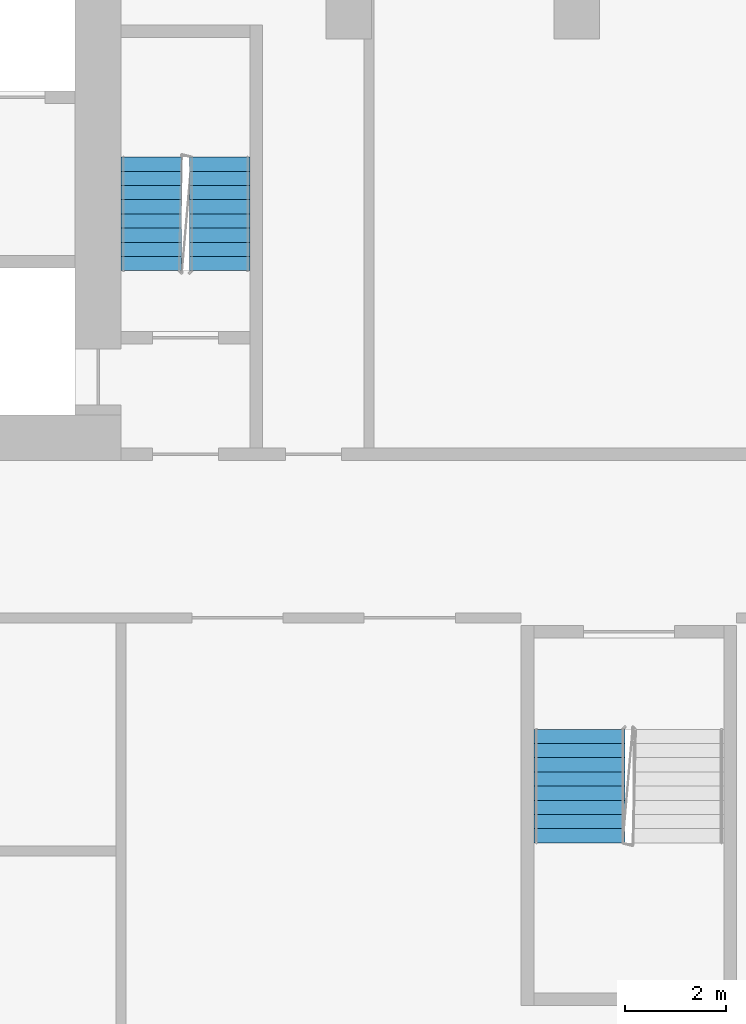
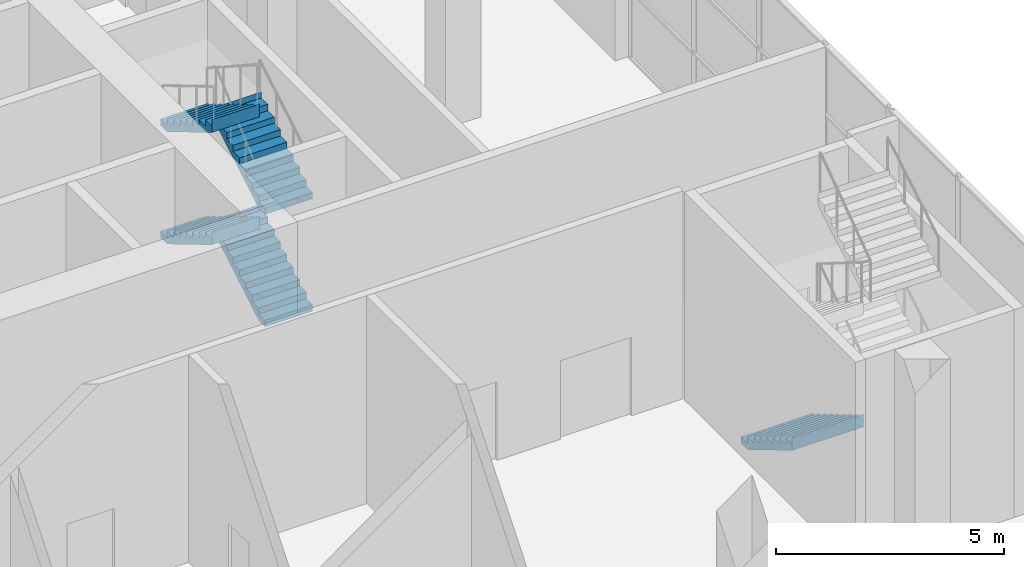
# One storey, part 21 of 27: 5 stair flights, 2 elements without a shape of their own.
"""IFC4 building model written with IfcOpenShell, lengths in metres."""

from ifc_helpers import new_model, si_unit, direction, frame, origin, place, context, subcontext, project, spatial, faceted_brep, material, type_object, element, aggregate, save


model = new_model("IFC4")

# Units and contexts
model_context = context("Model", 3, precision=1e-05, world=origin(), true_north=direction((0.0, 1.0)))
body_context = subcontext(model_context, "Body", "Model", "MODEL_VIEW")
ifc_project = project(units=[si_unit("LENGTHUNIT", "METRE"), si_unit("AREAUNIT", "SQUARE_METRE"), si_unit("VOLUMEUNIT", "CUBIC_METRE"), si_unit("PLANEANGLEUNIT", "RADIAN"), si_unit("MASSUNIT", "GRAM", prefix="KILO")], contexts=[model_context])

# Site, building, storey
site_placement = place(None, origin())
site = spatial("IfcSite", under=ifc_project, at=site_placement, CompositionType="ELEMENT")
building_placement = place(site_placement, origin())
building = spatial("IfcBuilding", under=site, at=building_placement, Name="Kajstack Hotel Tower", CompositionType="ELEMENT")
storey_placement = place(building_placement, frame((0.0, 0.0, 11.0)))
storey = spatial("IfcBuildingStorey", under=building, at=storey_placement, Name="L01", CompositionType="ELEMENT", Elevation=11.0)

# Stair, stair flight
ifc_material = material(Name="Concrete C40/50", Category="concrete")
stair_type_1 = type_object("IfcStairType", Name="Escape stair 1800", PredefinedType="HALF_TURN_STAIR", material=ifc_material)
stair_1_placement = place(storey_placement, origin())
stair_1 = element("IfcStair", 1, at=stair_1_placement, inside=storey, type_object=stair_type_1, Name="L01 stair P2", PredefinedType="HALF_TURN_STAIR")
stair_flight_type_1 = type_object("IfcStairFlightType", Name="Escape stair flight 1800", PredefinedType="STRAIGHT", material=ifc_material)
stair_flight_1_placement = place(storey_placement, frame((40.550048828125, -3.800048828125, 0.0), z_axis=(0.0, 0.0, 1.0), x_axis=(0.0, -1.0, 0.0)))
stair_flight_1 = element("IfcStairFlight", 2, at=stair_flight_1_placement, type_object=stair_flight_type_1, Name="P2 flight 1", NumberOfRisers=9, NumberOfTreads=8, PredefinedType="STRAIGHT", RiserHeight=0.166666667, TreadLength=0.28, context=body_context, shape_type="Brep", body=[
    faceted_brep([(0.29345703125, -0.89990234375, 0.0), (2.240478515625, -0.89990234375, 1.158935546875), (2.240478515625, -0.89990234375, 1.5), (2.239990234375, -0.89990234375, 1.5), (2.239990234375, -0.89990234375, 1.333251953125), (1.9599609375, -0.89990234375, 1.333251953125), (1.9599609375, -0.89990234375, 1.166748046875), (1.679931640625, -0.89990234375, 1.166748046875), (1.679931640625, -0.89990234375, 1.0), (1.39990234375, -0.89990234375, 1.0), (1.39990234375, -0.89990234375, 0.833251953125), (1.1201171875, -0.89990234375, 0.833251953125), (1.1201171875, -0.89990234375, 0.666748046875), (0.840087890625, -0.89990234375, 0.666748046875), (0.840087890625, -0.89990234375, 0.5), (0.56005859375, -0.89990234375, 0.5), (0.56005859375, -0.89990234375, 0.333251953125), (0.280029296875, -0.89990234375, 0.333251953125), (0.280029296875, -0.89990234375, 0.166748046875), (-0.00048828125, -0.89990234375, 0.166748046875), (-0.00048828125, -0.89990234375, 0.0), (-0.00048828125, 0.89990234375, 0.0), (-0.00048828125, 0.89990234375, 0.166748046875), (0.280029296875, 0.89990234375, 0.166748046875), (0.280029296875, 0.89990234375, 0.333251953125), (0.56005859375, 0.89990234375, 0.333251953125), (0.56005859375, 0.89990234375, 0.5), (0.840087890625, 0.89990234375, 0.5), (0.840087890625, 0.89990234375, 0.666748046875), (1.1201171875, 0.89990234375, 0.666748046875), (1.1201171875, 0.89990234375, 0.833251953125), (1.39990234375, 0.89990234375, 0.833251953125), (1.39990234375, 0.89990234375, 1.0), (1.679931640625, 0.89990234375, 1.0), (1.679931640625, 0.89990234375, 1.166748046875), (1.9599609375, 0.89990234375, 1.166748046875), (1.9599609375, 0.89990234375, 1.333251953125), (2.239990234375, 0.89990234375, 1.333251953125), (2.239990234375, 0.89990234375, 1.5), (2.240478515625, 0.89990234375, 1.5), (2.240478515625, 0.89990234375, 1.158935546875), (0.29345703125, 0.89990234375, 0.0), (-0.00048828125, -0.449951171875, 0.166748046875), (-0.00048828125, 0.0, 0.166748046875), (-0.00048828125, 0.449951171875, 0.166748046875), (-0.00048828125, 0.449951171875, 0.0), (-0.00048828125, 0.0, 0.0), (-0.00048828125, -0.449951171875, 0.0), (0.280029296875, -0.449951171875, 0.166748046875), (0.280029296875, 0.0, 0.166748046875), (0.280029296875, 0.449951171875, 0.166748046875), (0.280029296875, -0.449951171875, 0.333251953125), (0.280029296875, 0.0, 0.333251953125), (0.280029296875, 0.449951171875, 0.333251953125), (0.56005859375, -0.449951171875, 0.333251953125), (0.56005859375, 0.0, 0.333251953125), (0.56005859375, 0.449951171875, 0.333251953125), (0.56005859375, -0.449951171875, 0.5), (0.56005859375, 0.0, 0.5), (0.56005859375, 0.449951171875, 0.5), (0.840087890625, -0.449951171875, 0.5), (0.840087890625, 0.0, 0.5), (0.840087890625, 0.449951171875, 0.5), (0.840087890625, -0.449951171875, 0.666748046875), (0.840087890625, 0.0, 0.666748046875), (0.840087890625, 0.449951171875, 0.666748046875), (1.1201171875, -0.449951171875, 0.666748046875), (1.1201171875, 0.0, 0.666748046875), (1.1201171875, 0.449951171875, 0.666748046875), (1.1201171875, -0.449951171875, 0.833251953125), (1.1201171875, 0.0, 0.833251953125), (1.1201171875, 0.449951171875, 0.833251953125), (1.39990234375, -0.449951171875, 0.833251953125), (1.39990234375, 0.0, 0.833251953125), (1.39990234375, 0.449951171875, 0.833251953125), (1.39990234375, -0.449951171875, 1.0), (1.39990234375, 0.0, 1.0), (1.39990234375, 0.449951171875, 1.0), (1.679931640625, -0.449951171875, 1.0), (1.679931640625, 0.0, 1.0), (1.679931640625, 0.449951171875, 1.0), (1.679931640625, -0.449951171875, 1.166748046875), (1.679931640625, 0.0, 1.166748046875), (1.679931640625, 0.449951171875, 1.166748046875), (1.9599609375, -0.449951171875, 1.166748046875), (1.9599609375, 0.0, 1.166748046875), (1.9599609375, 0.449951171875, 1.166748046875), (1.9599609375, -0.449951171875, 1.333251953125), (1.9599609375, 0.0, 1.333251953125), (1.9599609375, 0.449951171875, 1.333251953125), (2.239990234375, -0.449951171875, 1.333251953125), (2.239990234375, 0.0, 1.333251953125), (2.239990234375, 0.449951171875, 1.333251953125), (2.239990234375, -0.449951171875, 1.5), (2.239990234375, 0.0, 1.5), (2.239990234375, 0.449951171875, 1.5), (2.240478515625, -0.449951171875, 1.5), (2.240478515625, 0.0, 1.5), (2.240478515625, 0.449951171875, 1.5), (2.240478515625, -0.449951171875, 1.158935546875), (2.240478515625, 0.0, 1.158935546875), (2.240478515625, 0.449951171875, 1.158935546875), (0.29345703125, -0.449951171875, 0.0), (0.29345703125, 0.0, 0.0), (0.29345703125, 0.449951171875, 0.0)], [[[0, 1, 2, 3, 4, 5, 6, 7, 8, 9, 10, 11, 12, 13, 14, 15, 16, 17, 18, 19, 20]], [[21, 22, 23, 24, 25, 26, 27, 28, 29, 30, 31, 32, 33, 34, 35, 36, 37, 38, 39, 40, 41]], [[19, 42, 43, 44, 22, 21, 45, 46, 47, 20]], [[18, 48, 49, 50, 23, 22, 44, 43, 42, 19]], [[17, 51, 52, 53, 24, 23, 50, 49, 48, 18]], [[16, 54, 55, 56, 25, 24, 53, 52, 51, 17]], [[15, 57, 58, 59, 26, 25, 56, 55, 54, 16]], [[14, 60, 61, 62, 27, 26, 59, 58, 57, 15]], [[13, 63, 64, 65, 28, 27, 62, 61, 60, 14]], [[12, 66, 67, 68, 29, 28, 65, 64, 63, 13]], [[11, 69, 70, 71, 30, 29, 68, 67, 66, 12]], [[10, 72, 73, 74, 31, 30, 71, 70, 69, 11]], [[9, 75, 76, 77, 32, 31, 74, 73, 72, 10]], [[8, 78, 79, 80, 33, 32, 77, 76, 75, 9]], [[7, 81, 82, 83, 34, 33, 80, 79, 78, 8]], [[6, 84, 85, 86, 35, 34, 83, 82, 81, 7]], [[5, 87, 88, 89, 36, 35, 86, 85, 84, 6]], [[4, 90, 91, 92, 37, 36, 89, 88, 87, 5]], [[3, 93, 94, 95, 38, 37, 92, 91, 90, 4]], [[2, 96, 97, 98, 39, 38, 95, 94, 93, 3]], [[1, 99, 100, 101, 40, 39, 98, 97, 96, 2]], [[0, 102, 103, 104, 41, 40, 101, 100, 99, 1]], [[20, 47, 46, 45, 21, 41, 104, 103, 102, 0]]]),
])
aggregate(stair_1, [stair_flight_1])

# Stair, stair flights
stair_type_2 = type_object("IfcStairType", Name="Exit stair 1200", PredefinedType="HALF_TURN_STAIR", material=ifc_material)
stair_2_placement = place(storey_placement, origin())
stair_2 = element("IfcStair", 3, at=stair_2_placement, inside=storey, type_object=stair_type_2, Name="L01 stair E1", PredefinedType="HALF_TURN_STAIR")
stair_flight_type_2 = type_object("IfcStairFlightType", Name="Exit stair flight 1200", PredefinedType="STRAIGHT", material=ifc_material)
stair_flight_2_placement = place(storey_placement, frame((33.449951171875, 5.25, 0.0), z_axis=(0.0, 0.0, 1.0), x_axis=(0.0, 1.0, 0.0)))
stair_flight_2 = element("IfcStairFlight", 4, at=stair_flight_2_placement, type_object=stair_flight_type_2, Name="E1 flight 1", NumberOfRisers=9, NumberOfTreads=8, PredefinedType="STRAIGHT", RiserHeight=0.166666667, TreadLength=0.28, context=body_context, shape_type="Brep", body=[
    faceted_brep([(0.29345703125, -0.60009765625, 0.0), (2.240478515625, -0.60009765625, 1.158935546875), (2.240478515625, -0.60009765625, 1.5), (2.239990234375, -0.60009765625, 1.5), (2.239990234375, -0.60009765625, 1.333251953125), (1.9599609375, -0.60009765625, 1.333251953125), (1.9599609375, -0.60009765625, 1.166748046875), (1.679931640625, -0.60009765625, 1.166748046875), (1.679931640625, -0.60009765625, 1.0), (1.39990234375, -0.60009765625, 1.0), (1.39990234375, -0.60009765625, 0.833251953125), (1.1201171875, -0.60009765625, 0.833251953125), (1.1201171875, -0.60009765625, 0.666748046875), (0.840087890625, -0.60009765625, 0.666748046875), (0.840087890625, -0.60009765625, 0.5), (0.56005859375, -0.60009765625, 0.5), (0.56005859375, -0.60009765625, 0.333251953125), (0.280029296875, -0.60009765625, 0.333251953125), (0.280029296875, -0.60009765625, 0.166748046875), (-0.00048828125, -0.60009765625, 0.166748046875), (-0.00048828125, -0.60009765625, 0.0), (-0.00048828125, 0.60009765625, 0.0), (-0.00048828125, 0.60009765625, 0.166748046875), (0.280029296875, 0.60009765625, 0.166748046875), (0.280029296875, 0.60009765625, 0.333251953125), (0.56005859375, 0.60009765625, 0.333251953125), (0.56005859375, 0.60009765625, 0.5), (0.840087890625, 0.60009765625, 0.5), (0.840087890625, 0.60009765625, 0.666748046875), (1.1201171875, 0.60009765625, 0.666748046875), (1.1201171875, 0.60009765625, 0.833251953125), (1.39990234375, 0.60009765625, 0.833251953125), (1.39990234375, 0.60009765625, 1.0), (1.679931640625, 0.60009765625, 1.0), (1.679931640625, 0.60009765625, 1.166748046875), (1.9599609375, 0.60009765625, 1.166748046875), (1.9599609375, 0.60009765625, 1.333251953125), (2.239990234375, 0.60009765625, 1.333251953125), (2.239990234375, 0.60009765625, 1.5), (2.240478515625, 0.60009765625, 1.5), (2.240478515625, 0.60009765625, 1.158935546875), (0.29345703125, 0.60009765625, 0.0), (-0.00048828125, -0.300048828125, 0.166748046875), (-0.00048828125, 0.0, 0.166748046875), (-0.00048828125, 0.300048828125, 0.166748046875), (-0.00048828125, 0.300048828125, 0.0), (-0.00048828125, 0.0, 0.0), (-0.00048828125, -0.300048828125, 0.0), (0.280029296875, -0.300048828125, 0.166748046875), (0.280029296875, 0.0, 0.166748046875), (0.280029296875, 0.300048828125, 0.166748046875), (0.280029296875, -0.300048828125, 0.333251953125), (0.280029296875, 0.0, 0.333251953125), (0.280029296875, 0.300048828125, 0.333251953125), (0.56005859375, -0.300048828125, 0.333251953125), (0.56005859375, 0.0, 0.333251953125), (0.56005859375, 0.300048828125, 0.333251953125), (0.56005859375, -0.300048828125, 0.5), (0.56005859375, 0.0, 0.5), (0.56005859375, 0.300048828125, 0.5), (0.840087890625, -0.300048828125, 0.5), (0.840087890625, 0.0, 0.5), (0.840087890625, 0.300048828125, 0.5), (0.840087890625, -0.300048828125, 0.666748046875), (0.840087890625, 0.0, 0.666748046875), (0.840087890625, 0.300048828125, 0.666748046875), (1.1201171875, -0.300048828125, 0.666748046875), (1.1201171875, 0.0, 0.666748046875), (1.1201171875, 0.300048828125, 0.666748046875), (1.1201171875, -0.300048828125, 0.833251953125), (1.1201171875, 0.0, 0.833251953125), (1.1201171875, 0.300048828125, 0.833251953125), (1.39990234375, -0.300048828125, 0.833251953125), (1.39990234375, 0.0, 0.833251953125), (1.39990234375, 0.300048828125, 0.833251953125), (1.39990234375, -0.300048828125, 1.0), (1.39990234375, 0.0, 1.0), (1.39990234375, 0.300048828125, 1.0), (1.679931640625, -0.300048828125, 1.0), (1.679931640625, 0.0, 1.0), (1.679931640625, 0.300048828125, 1.0), (1.679931640625, -0.300048828125, 1.166748046875), (1.679931640625, 0.0, 1.166748046875), (1.679931640625, 0.300048828125, 1.166748046875), (1.9599609375, -0.300048828125, 1.166748046875), (1.9599609375, 0.0, 1.166748046875), (1.9599609375, 0.300048828125, 1.166748046875), (1.9599609375, -0.300048828125, 1.333251953125), (1.9599609375, 0.0, 1.333251953125), (1.9599609375, 0.300048828125, 1.333251953125), (2.239990234375, -0.300048828125, 1.333251953125), (2.239990234375, 0.0, 1.333251953125), (2.239990234375, 0.300048828125, 1.333251953125), (2.239990234375, -0.300048828125, 1.5), (2.239990234375, 0.0, 1.5), (2.239990234375, 0.300048828125, 1.5), (2.240478515625, -0.300048828125, 1.5), (2.240478515625, 0.0, 1.5), (2.240478515625, 0.300048828125, 1.5), (2.240478515625, -0.300048828125, 1.158935546875), (2.240478515625, 0.0, 1.158935546875), (2.240478515625, 0.300048828125, 1.158935546875), (0.29345703125, -0.300048828125, 0.0), (0.29345703125, 0.0, 0.0), (0.29345703125, 0.300048828125, 0.0)], [[[0, 1, 2, 3, 4, 5, 6, 7, 8, 9, 10, 11, 12, 13, 14, 15, 16, 17, 18, 19, 20]], [[21, 22, 23, 24, 25, 26, 27, 28, 29, 30, 31, 32, 33, 34, 35, 36, 37, 38, 39, 40, 41]], [[19, 42, 43, 44, 22, 21, 45, 46, 47, 20]], [[18, 48, 49, 50, 23, 22, 44, 43, 42, 19]], [[17, 51, 52, 53, 24, 23, 50, 49, 48, 18]], [[16, 54, 55, 56, 25, 24, 53, 52, 51, 17]], [[15, 57, 58, 59, 26, 25, 56, 55, 54, 16]], [[14, 60, 61, 62, 27, 26, 59, 58, 57, 15]], [[13, 63, 64, 65, 28, 27, 62, 61, 60, 14]], [[12, 66, 67, 68, 29, 28, 65, 64, 63, 13]], [[11, 69, 70, 71, 30, 29, 68, 67, 66, 12]], [[10, 72, 73, 74, 31, 30, 71, 70, 69, 11]], [[9, 75, 76, 77, 32, 31, 74, 73, 72, 10]], [[8, 78, 79, 80, 33, 32, 77, 76, 75, 9]], [[7, 81, 82, 83, 34, 33, 80, 79, 78, 8]], [[6, 84, 85, 86, 35, 34, 83, 82, 81, 7]], [[5, 87, 88, 89, 36, 35, 86, 85, 84, 6]], [[4, 90, 91, 92, 37, 36, 89, 88, 87, 5]], [[3, 93, 94, 95, 38, 37, 92, 91, 90, 4]], [[2, 96, 97, 98, 39, 38, 95, 94, 93, 3]], [[1, 99, 100, 101, 40, 39, 98, 97, 96, 2]], [[0, 102, 103, 104, 41, 40, 101, 100, 99, 1]], [[20, 47, 46, 45, 21, 41, 104, 103, 102, 0]]]),
])
stair_flight_3_placement = place(storey_placement, frame((32.10009765625, 7.489990234375, 1.5), z_axis=(0.0, 0.0, 1.0), x_axis=(0.0, -1.0, 0.0)))
stair_flight_3 = element("IfcStairFlight", 5, at=stair_flight_3_placement, type_object=stair_flight_type_2, Name="E1 flight 2", NumberOfRisers=9, NumberOfTreads=8, PredefinedType="STRAIGHT", RiserHeight=0.166666667, TreadLength=0.28, context=body_context, shape_type="Brep", body=[
    faceted_brep([(0.29345703125, -0.60009765625, 0.0), (2.240478515625, -0.60009765625, 1.158935546875), (2.240478515625, -0.60009765625, 1.5), (2.239990234375, -0.60009765625, 1.5), (2.239990234375, -0.60009765625, 1.333251953125), (1.9599609375, -0.60009765625, 1.333251953125), (1.9599609375, -0.60009765625, 1.166748046875), (1.679931640625, -0.60009765625, 1.166748046875), (1.679931640625, -0.60009765625, 1.0), (1.39990234375, -0.60009765625, 1.0), (1.39990234375, -0.60009765625, 0.833251953125), (1.1201171875, -0.60009765625, 0.833251953125), (1.1201171875, -0.60009765625, 0.666748046875), (0.840087890625, -0.60009765625, 0.666748046875), (0.840087890625, -0.60009765625, 0.5), (0.56005859375, -0.60009765625, 0.5), (0.56005859375, -0.60009765625, 0.333251953125), (0.280029296875, -0.60009765625, 0.333251953125), (0.280029296875, -0.60009765625, 0.166748046875), (-0.00048828125, -0.60009765625, 0.166748046875), (-0.00048828125, -0.60009765625, 0.0), (-0.00048828125, 0.60009765625, 0.0), (-0.00048828125, 0.60009765625, 0.166748046875), (0.280029296875, 0.60009765625, 0.166748046875), (0.280029296875, 0.60009765625, 0.333251953125), (0.56005859375, 0.60009765625, 0.333251953125), (0.56005859375, 0.60009765625, 0.5), (0.840087890625, 0.60009765625, 0.5), (0.840087890625, 0.60009765625, 0.666748046875), (1.1201171875, 0.60009765625, 0.666748046875), (1.1201171875, 0.60009765625, 0.833251953125), (1.39990234375, 0.60009765625, 0.833251953125), (1.39990234375, 0.60009765625, 1.0), (1.679931640625, 0.60009765625, 1.0), (1.679931640625, 0.60009765625, 1.166748046875), (1.9599609375, 0.60009765625, 1.166748046875), (1.9599609375, 0.60009765625, 1.333251953125), (2.239990234375, 0.60009765625, 1.333251953125), (2.239990234375, 0.60009765625, 1.5), (2.240478515625, 0.60009765625, 1.5), (2.240478515625, 0.60009765625, 1.158935546875), (0.29345703125, 0.60009765625, 0.0), (-0.00048828125, -0.300048828125, 0.166748046875), (-0.00048828125, 0.0, 0.166748046875), (-0.00048828125, 0.300048828125, 0.166748046875), (-0.00048828125, 0.300048828125, 0.0), (-0.00048828125, 0.0, 0.0), (-0.00048828125, -0.300048828125, 0.0), (0.280029296875, -0.300048828125, 0.166748046875), (0.280029296875, 0.0, 0.166748046875), (0.280029296875, 0.300048828125, 0.166748046875), (0.280029296875, -0.300048828125, 0.333251953125), (0.280029296875, 0.0, 0.333251953125), (0.280029296875, 0.300048828125, 0.333251953125), (0.56005859375, -0.300048828125, 0.333251953125), (0.56005859375, 0.0, 0.333251953125), (0.56005859375, 0.300048828125, 0.333251953125), (0.56005859375, -0.300048828125, 0.5), (0.56005859375, 0.0, 0.5), (0.56005859375, 0.300048828125, 0.5), (0.840087890625, -0.300048828125, 0.5), (0.840087890625, 0.0, 0.5), (0.840087890625, 0.300048828125, 0.5), (0.840087890625, -0.300048828125, 0.666748046875), (0.840087890625, 0.0, 0.666748046875), (0.840087890625, 0.300048828125, 0.666748046875), (1.1201171875, -0.300048828125, 0.666748046875), (1.1201171875, 0.0, 0.666748046875), (1.1201171875, 0.300048828125, 0.666748046875), (1.1201171875, -0.300048828125, 0.833251953125), (1.1201171875, 0.0, 0.833251953125), (1.1201171875, 0.300048828125, 0.833251953125), (1.39990234375, -0.300048828125, 0.833251953125), (1.39990234375, 0.0, 0.833251953125), (1.39990234375, 0.300048828125, 0.833251953125), (1.39990234375, -0.300048828125, 1.0), (1.39990234375, 0.0, 1.0), (1.39990234375, 0.300048828125, 1.0), (1.679931640625, -0.300048828125, 1.0), (1.679931640625, 0.0, 1.0), (1.679931640625, 0.300048828125, 1.0), (1.679931640625, -0.300048828125, 1.166748046875), (1.679931640625, 0.0, 1.166748046875), (1.679931640625, 0.300048828125, 1.166748046875), (1.9599609375, -0.300048828125, 1.166748046875), (1.9599609375, 0.0, 1.166748046875), (1.9599609375, 0.300048828125, 1.166748046875), (1.9599609375, -0.300048828125, 1.333251953125), (1.9599609375, 0.0, 1.333251953125), (1.9599609375, 0.300048828125, 1.333251953125), (2.239990234375, -0.300048828125, 1.333251953125), (2.239990234375, 0.0, 1.333251953125), (2.239990234375, 0.300048828125, 1.333251953125), (2.239990234375, -0.300048828125, 1.5), (2.239990234375, 0.0, 1.5), (2.239990234375, 0.300048828125, 1.5), (2.240478515625, -0.300048828125, 1.5), (2.240478515625, 0.0, 1.5), (2.240478515625, 0.300048828125, 1.5), (2.240478515625, -0.300048828125, 1.158935546875), (2.240478515625, 0.0, 1.158935546875), (2.240478515625, 0.300048828125, 1.158935546875), (0.29345703125, -0.300048828125, 0.0), (0.29345703125, 0.0, 0.0), (0.29345703125, 0.300048828125, 0.0)], [[[0, 1, 2, 3, 4, 5, 6, 7, 8, 9, 10, 11, 12, 13, 14, 15, 16, 17, 18, 19, 20]], [[21, 22, 23, 24, 25, 26, 27, 28, 29, 30, 31, 32, 33, 34, 35, 36, 37, 38, 39, 40, 41]], [[19, 42, 43, 44, 22, 21, 45, 46, 47, 20]], [[18, 48, 49, 50, 23, 22, 44, 43, 42, 19]], [[17, 51, 52, 53, 24, 23, 50, 49, 48, 18]], [[16, 54, 55, 56, 25, 24, 53, 52, 51, 17]], [[15, 57, 58, 59, 26, 25, 56, 55, 54, 16]], [[14, 60, 61, 62, 27, 26, 59, 58, 57, 15]], [[13, 63, 64, 65, 28, 27, 62, 61, 60, 14]], [[12, 66, 67, 68, 29, 28, 65, 64, 63, 13]], [[11, 69, 70, 71, 30, 29, 68, 67, 66, 12]], [[10, 72, 73, 74, 31, 30, 71, 70, 69, 11]], [[9, 75, 76, 77, 32, 31, 74, 73, 72, 10]], [[8, 78, 79, 80, 33, 32, 77, 76, 75, 9]], [[7, 81, 82, 83, 34, 33, 80, 79, 78, 8]], [[6, 84, 85, 86, 35, 34, 83, 82, 81, 7]], [[5, 87, 88, 89, 36, 35, 86, 85, 84, 6]], [[4, 90, 91, 92, 37, 36, 89, 88, 87, 5]], [[3, 93, 94, 95, 38, 37, 92, 91, 90, 4]], [[2, 96, 97, 98, 39, 38, 95, 94, 93, 3]], [[1, 99, 100, 101, 40, 39, 98, 97, 96, 2]], [[0, 102, 103, 104, 41, 40, 101, 100, 99, 1]], [[20, 47, 46, 45, 21, 41, 104, 103, 102, 0]]]),
])
stair_flight_4_placement = place(storey_placement, frame((33.449951171875, 5.25, 3.0), z_axis=(0.0, 0.0, 1.0), x_axis=(0.0, 1.0, 0.0)))
stair_flight_4 = element("IfcStairFlight", 6, at=stair_flight_4_placement, type_object=stair_flight_type_2, Name="E1 flight 3", NumberOfRisers=9, NumberOfTreads=8, PredefinedType="STRAIGHT", RiserHeight=0.166666667, TreadLength=0.28, context=body_context, shape_type="Brep", body=[
    faceted_brep([(0.29345703125, -0.60009765625, 0.0), (2.240478515625, -0.60009765625, 1.158935546875), (2.240478515625, -0.60009765625, 1.5), (2.239990234375, -0.60009765625, 1.5), (2.239990234375, -0.60009765625, 1.333251953125), (1.9599609375, -0.60009765625, 1.333251953125), (1.9599609375, -0.60009765625, 1.166748046875), (1.679931640625, -0.60009765625, 1.166748046875), (1.679931640625, -0.60009765625, 1.0), (1.39990234375, -0.60009765625, 1.0), (1.39990234375, -0.60009765625, 0.833251953125), (1.1201171875, -0.60009765625, 0.833251953125), (1.1201171875, -0.60009765625, 0.666748046875), (0.840087890625, -0.60009765625, 0.666748046875), (0.840087890625, -0.60009765625, 0.5), (0.56005859375, -0.60009765625, 0.5), (0.56005859375, -0.60009765625, 0.333251953125), (0.280029296875, -0.60009765625, 0.333251953125), (0.280029296875, -0.60009765625, 0.166748046875), (-0.00048828125, -0.60009765625, 0.166748046875), (-0.00048828125, -0.60009765625, 0.0), (-0.00048828125, 0.60009765625, 0.0), (-0.00048828125, 0.60009765625, 0.166748046875), (0.280029296875, 0.60009765625, 0.166748046875), (0.280029296875, 0.60009765625, 0.333251953125), (0.56005859375, 0.60009765625, 0.333251953125), (0.56005859375, 0.60009765625, 0.5), (0.840087890625, 0.60009765625, 0.5), (0.840087890625, 0.60009765625, 0.666748046875), (1.1201171875, 0.60009765625, 0.666748046875), (1.1201171875, 0.60009765625, 0.833251953125), (1.39990234375, 0.60009765625, 0.833251953125), (1.39990234375, 0.60009765625, 1.0), (1.679931640625, 0.60009765625, 1.0), (1.679931640625, 0.60009765625, 1.166748046875), (1.9599609375, 0.60009765625, 1.166748046875), (1.9599609375, 0.60009765625, 1.333251953125), (2.239990234375, 0.60009765625, 1.333251953125), (2.239990234375, 0.60009765625, 1.5), (2.240478515625, 0.60009765625, 1.5), (2.240478515625, 0.60009765625, 1.158935546875), (0.29345703125, 0.60009765625, 0.0), (-0.00048828125, -0.300048828125, 0.166748046875), (-0.00048828125, 0.0, 0.166748046875), (-0.00048828125, 0.300048828125, 0.166748046875), (-0.00048828125, 0.300048828125, 0.0), (-0.00048828125, 0.0, 0.0), (-0.00048828125, -0.300048828125, 0.0), (0.280029296875, -0.300048828125, 0.166748046875), (0.280029296875, 0.0, 0.166748046875), (0.280029296875, 0.300048828125, 0.166748046875), (0.280029296875, -0.300048828125, 0.333251953125), (0.280029296875, 0.0, 0.333251953125), (0.280029296875, 0.300048828125, 0.333251953125), (0.56005859375, -0.300048828125, 0.333251953125), (0.56005859375, 0.0, 0.333251953125), (0.56005859375, 0.300048828125, 0.333251953125), (0.56005859375, -0.300048828125, 0.5), (0.56005859375, 0.0, 0.5), (0.56005859375, 0.300048828125, 0.5), (0.840087890625, -0.300048828125, 0.5), (0.840087890625, 0.0, 0.5), (0.840087890625, 0.300048828125, 0.5), (0.840087890625, -0.300048828125, 0.666748046875), (0.840087890625, 0.0, 0.666748046875), (0.840087890625, 0.300048828125, 0.666748046875), (1.1201171875, -0.300048828125, 0.666748046875), (1.1201171875, 0.0, 0.666748046875), (1.1201171875, 0.300048828125, 0.666748046875), (1.1201171875, -0.300048828125, 0.833251953125), (1.1201171875, 0.0, 0.833251953125), (1.1201171875, 0.300048828125, 0.833251953125), (1.39990234375, -0.300048828125, 0.833251953125), (1.39990234375, 0.0, 0.833251953125), (1.39990234375, 0.300048828125, 0.833251953125), (1.39990234375, -0.300048828125, 1.0), (1.39990234375, 0.0, 1.0), (1.39990234375, 0.300048828125, 1.0), (1.679931640625, -0.300048828125, 1.0), (1.679931640625, 0.0, 1.0), (1.679931640625, 0.300048828125, 1.0), (1.679931640625, -0.300048828125, 1.166748046875), (1.679931640625, 0.0, 1.166748046875), (1.679931640625, 0.300048828125, 1.166748046875), (1.9599609375, -0.300048828125, 1.166748046875), (1.9599609375, 0.0, 1.166748046875), (1.9599609375, 0.300048828125, 1.166748046875), (1.9599609375, -0.300048828125, 1.333251953125), (1.9599609375, 0.0, 1.333251953125), (1.9599609375, 0.300048828125, 1.333251953125), (2.239990234375, -0.300048828125, 1.333251953125), (2.239990234375, 0.0, 1.333251953125), (2.239990234375, 0.300048828125, 1.333251953125), (2.239990234375, -0.300048828125, 1.5), (2.239990234375, 0.0, 1.5), (2.239990234375, 0.300048828125, 1.5), (2.240478515625, -0.300048828125, 1.5), (2.240478515625, 0.0, 1.5), (2.240478515625, 0.300048828125, 1.5), (2.240478515625, -0.300048828125, 1.158935546875), (2.240478515625, 0.0, 1.158935546875), (2.240478515625, 0.300048828125, 1.158935546875), (0.29345703125, -0.300048828125, 0.0), (0.29345703125, 0.0, 0.0), (0.29345703125, 0.300048828125, 0.0)], [[[0, 1, 2, 3, 4, 5, 6, 7, 8, 9, 10, 11, 12, 13, 14, 15, 16, 17, 18, 19, 20]], [[21, 22, 23, 24, 25, 26, 27, 28, 29, 30, 31, 32, 33, 34, 35, 36, 37, 38, 39, 40, 41]], [[19, 42, 43, 44, 22, 21, 45, 46, 47, 20]], [[18, 48, 49, 50, 23, 22, 44, 43, 42, 19]], [[17, 51, 52, 53, 24, 23, 50, 49, 48, 18]], [[16, 54, 55, 56, 25, 24, 53, 52, 51, 17]], [[15, 57, 58, 59, 26, 25, 56, 55, 54, 16]], [[14, 60, 61, 62, 27, 26, 59, 58, 57, 15]], [[13, 63, 64, 65, 28, 27, 62, 61, 60, 14]], [[12, 66, 67, 68, 29, 28, 65, 64, 63, 13]], [[11, 69, 70, 71, 30, 29, 68, 67, 66, 12]], [[10, 72, 73, 74, 31, 30, 71, 70, 69, 11]], [[9, 75, 76, 77, 32, 31, 74, 73, 72, 10]], [[8, 78, 79, 80, 33, 32, 77, 76, 75, 9]], [[7, 81, 82, 83, 34, 33, 80, 79, 78, 8]], [[6, 84, 85, 86, 35, 34, 83, 82, 81, 7]], [[5, 87, 88, 89, 36, 35, 86, 85, 84, 6]], [[4, 90, 91, 92, 37, 36, 89, 88, 87, 5]], [[3, 93, 94, 95, 38, 37, 92, 91, 90, 4]], [[2, 96, 97, 98, 39, 38, 95, 94, 93, 3]], [[1, 99, 100, 101, 40, 39, 98, 97, 96, 2]], [[0, 102, 103, 104, 41, 40, 101, 100, 99, 1]], [[20, 47, 46, 45, 21, 41, 104, 103, 102, 0]]]),
])
stair_flight_5_placement = place(storey_placement, frame((32.10009765625, 7.489990234375, 4.5), z_axis=(0.0, 0.0, 1.0), x_axis=(0.0, -1.0, 0.0)))
stair_flight_5 = element("IfcStairFlight", 7, at=stair_flight_5_placement, type_object=stair_flight_type_2, Name="E1 flight 4", NumberOfRisers=9, NumberOfTreads=8, PredefinedType="STRAIGHT", RiserHeight=0.166666667, TreadLength=0.28, context=body_context, shape_type="Brep", body=[
    faceted_brep([(0.29345703125, -0.60009765625, 0.0), (2.240478515625, -0.60009765625, 1.158935546875), (2.240478515625, -0.60009765625, 1.5), (2.239990234375, -0.60009765625, 1.5), (2.239990234375, -0.60009765625, 1.333251953125), (1.9599609375, -0.60009765625, 1.333251953125), (1.9599609375, -0.60009765625, 1.166748046875), (1.679931640625, -0.60009765625, 1.166748046875), (1.679931640625, -0.60009765625, 1.0), (1.39990234375, -0.60009765625, 1.0), (1.39990234375, -0.60009765625, 0.833251953125), (1.1201171875, -0.60009765625, 0.833251953125), (1.1201171875, -0.60009765625, 0.666748046875), (0.840087890625, -0.60009765625, 0.666748046875), (0.840087890625, -0.60009765625, 0.5), (0.56005859375, -0.60009765625, 0.5), (0.56005859375, -0.60009765625, 0.333251953125), (0.280029296875, -0.60009765625, 0.333251953125), (0.280029296875, -0.60009765625, 0.166748046875), (-0.00048828125, -0.60009765625, 0.166748046875), (-0.00048828125, -0.60009765625, 0.0), (-0.00048828125, 0.60009765625, 0.0), (-0.00048828125, 0.60009765625, 0.166748046875), (0.280029296875, 0.60009765625, 0.166748046875), (0.280029296875, 0.60009765625, 0.333251953125), (0.56005859375, 0.60009765625, 0.333251953125), (0.56005859375, 0.60009765625, 0.5), (0.840087890625, 0.60009765625, 0.5), (0.840087890625, 0.60009765625, 0.666748046875), (1.1201171875, 0.60009765625, 0.666748046875), (1.1201171875, 0.60009765625, 0.833251953125), (1.39990234375, 0.60009765625, 0.833251953125), (1.39990234375, 0.60009765625, 1.0), (1.679931640625, 0.60009765625, 1.0), (1.679931640625, 0.60009765625, 1.166748046875), (1.9599609375, 0.60009765625, 1.166748046875), (1.9599609375, 0.60009765625, 1.333251953125), (2.239990234375, 0.60009765625, 1.333251953125), (2.239990234375, 0.60009765625, 1.5), (2.240478515625, 0.60009765625, 1.5), (2.240478515625, 0.60009765625, 1.158935546875), (0.29345703125, 0.60009765625, 0.0), (-0.00048828125, -0.300048828125, 0.166748046875), (-0.00048828125, 0.0, 0.166748046875), (-0.00048828125, 0.300048828125, 0.166748046875), (-0.00048828125, 0.300048828125, 0.0), (-0.00048828125, 0.0, 0.0), (-0.00048828125, -0.300048828125, 0.0), (0.280029296875, -0.300048828125, 0.166748046875), (0.280029296875, 0.0, 0.166748046875), (0.280029296875, 0.300048828125, 0.166748046875), (0.280029296875, -0.300048828125, 0.333251953125), (0.280029296875, 0.0, 0.333251953125), (0.280029296875, 0.300048828125, 0.333251953125), (0.56005859375, -0.300048828125, 0.333251953125), (0.56005859375, 0.0, 0.333251953125), (0.56005859375, 0.300048828125, 0.333251953125), (0.56005859375, -0.300048828125, 0.5), (0.56005859375, 0.0, 0.5), (0.56005859375, 0.300048828125, 0.5), (0.840087890625, -0.300048828125, 0.5), (0.840087890625, 0.0, 0.5), (0.840087890625, 0.300048828125, 0.5), (0.840087890625, -0.300048828125, 0.666748046875), (0.840087890625, 0.0, 0.666748046875), (0.840087890625, 0.300048828125, 0.666748046875), (1.1201171875, -0.300048828125, 0.666748046875), (1.1201171875, 0.0, 0.666748046875), (1.1201171875, 0.300048828125, 0.666748046875), (1.1201171875, -0.300048828125, 0.833251953125), (1.1201171875, 0.0, 0.833251953125), (1.1201171875, 0.300048828125, 0.833251953125), (1.39990234375, -0.300048828125, 0.833251953125), (1.39990234375, 0.0, 0.833251953125), (1.39990234375, 0.300048828125, 0.833251953125), (1.39990234375, -0.300048828125, 1.0), (1.39990234375, 0.0, 1.0), (1.39990234375, 0.300048828125, 1.0), (1.679931640625, -0.300048828125, 1.0), (1.679931640625, 0.0, 1.0), (1.679931640625, 0.300048828125, 1.0), (1.679931640625, -0.300048828125, 1.166748046875), (1.679931640625, 0.0, 1.166748046875), (1.679931640625, 0.300048828125, 1.166748046875), (1.9599609375, -0.300048828125, 1.166748046875), (1.9599609375, 0.0, 1.166748046875), (1.9599609375, 0.300048828125, 1.166748046875), (1.9599609375, -0.300048828125, 1.333251953125), (1.9599609375, 0.0, 1.333251953125), (1.9599609375, 0.300048828125, 1.333251953125), (2.239990234375, -0.300048828125, 1.333251953125), (2.239990234375, 0.0, 1.333251953125), (2.239990234375, 0.300048828125, 1.333251953125), (2.239990234375, -0.300048828125, 1.5), (2.239990234375, 0.0, 1.5), (2.239990234375, 0.300048828125, 1.5), (2.240478515625, -0.300048828125, 1.5), (2.240478515625, 0.0, 1.5), (2.240478515625, 0.300048828125, 1.5), (2.240478515625, -0.300048828125, 1.158935546875), (2.240478515625, 0.0, 1.158935546875), (2.240478515625, 0.300048828125, 1.158935546875), (0.29345703125, -0.300048828125, 0.0), (0.29345703125, 0.0, 0.0), (0.29345703125, 0.300048828125, 0.0)], [[[0, 1, 2, 3, 4, 5, 6, 7, 8, 9, 10, 11, 12, 13, 14, 15, 16, 17, 18, 19, 20]], [[21, 22, 23, 24, 25, 26, 27, 28, 29, 30, 31, 32, 33, 34, 35, 36, 37, 38, 39, 40, 41]], [[19, 42, 43, 44, 22, 21, 45, 46, 47, 20]], [[18, 48, 49, 50, 23, 22, 44, 43, 42, 19]], [[17, 51, 52, 53, 24, 23, 50, 49, 48, 18]], [[16, 54, 55, 56, 25, 24, 53, 52, 51, 17]], [[15, 57, 58, 59, 26, 25, 56, 55, 54, 16]], [[14, 60, 61, 62, 27, 26, 59, 58, 57, 15]], [[13, 63, 64, 65, 28, 27, 62, 61, 60, 14]], [[12, 66, 67, 68, 29, 28, 65, 64, 63, 13]], [[11, 69, 70, 71, 30, 29, 68, 67, 66, 12]], [[10, 72, 73, 74, 31, 30, 71, 70, 69, 11]], [[9, 75, 76, 77, 32, 31, 74, 73, 72, 10]], [[8, 78, 79, 80, 33, 32, 77, 76, 75, 9]], [[7, 81, 82, 83, 34, 33, 80, 79, 78, 8]], [[6, 84, 85, 86, 35, 34, 83, 82, 81, 7]], [[5, 87, 88, 89, 36, 35, 86, 85, 84, 6]], [[4, 90, 91, 92, 37, 36, 89, 88, 87, 5]], [[3, 93, 94, 95, 38, 37, 92, 91, 90, 4]], [[2, 96, 97, 98, 39, 38, 95, 94, 93, 3]], [[1, 99, 100, 101, 40, 39, 98, 97, 96, 2]], [[0, 102, 103, 104, 41, 40, 101, 100, 99, 1]], [[20, 47, 46, 45, 21, 41, 104, 103, 102, 0]]]),
])
aggregate(stair_2, [stair_flight_2, stair_flight_3, stair_flight_4, stair_flight_5])

save(model, "model.ifc")
